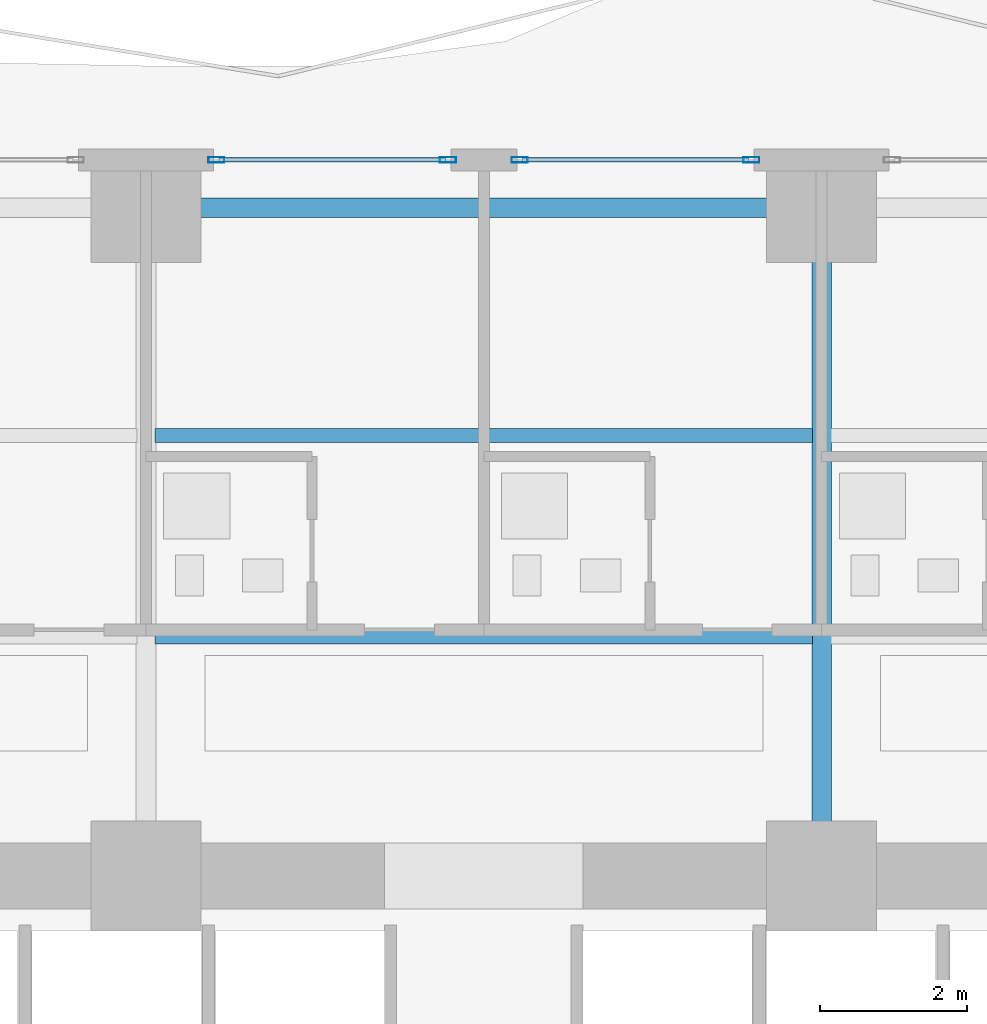
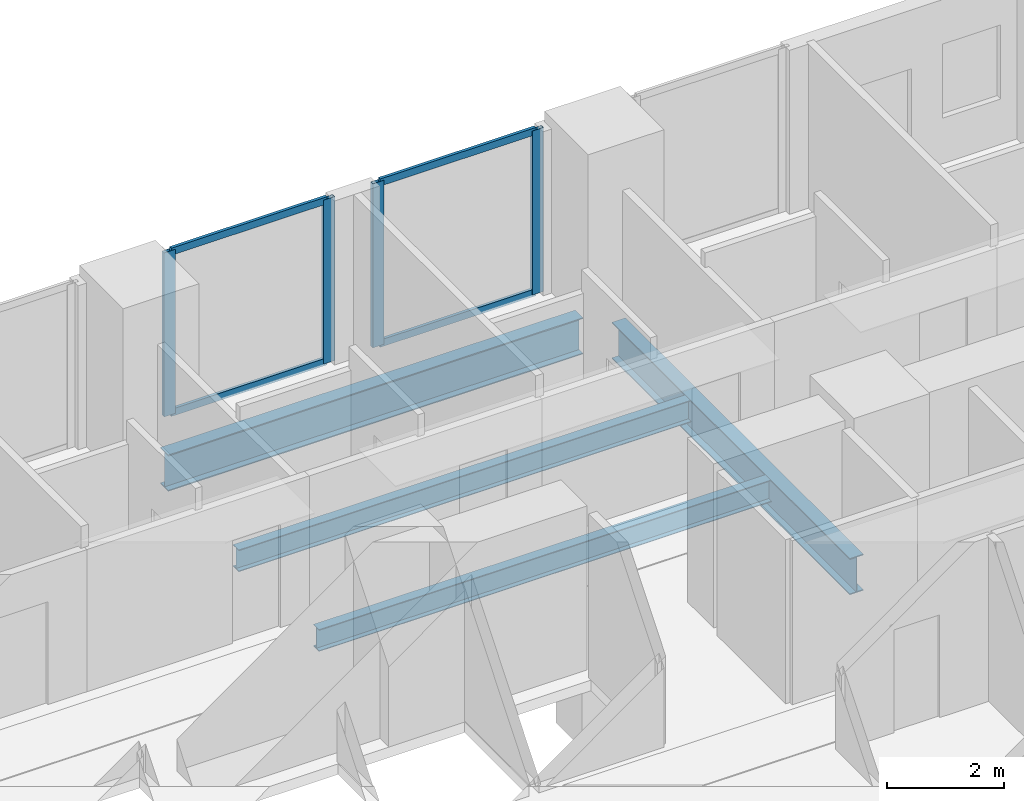
# One storey, part 15 of 29: 8 members, 4 beams, 2 elements without a shape of their own.
"""IFC4 building model written with IfcOpenShell, lengths in metres."""

from ifc_helpers import new_model, si_unit, direction, frame, origin, origin_2d, place, context, subcontext, project, spatial, hollow_rectangle, i_section, extrude, material, layer, layer_set, material_profile, profile_set, type_object, element, aggregate, save


model = new_model("IFC4")

# Units and contexts
model_context = context("Model", 3, precision=1e-05, world=origin(), true_north=direction((0.0, 1.0)))
body_context = subcontext(model_context, "Body", "Model", "MODEL_VIEW")
ifc_project = project(units=[si_unit("LENGTHUNIT", "METRE"), si_unit("AREAUNIT", "SQUARE_METRE"), si_unit("VOLUMEUNIT", "CUBIC_METRE"), si_unit("PLANEANGLEUNIT", "RADIAN"), si_unit("MASSUNIT", "GRAM", prefix="KILO")], contexts=[model_context])

# Site, building, storey
site_placement = place(None, origin())
site = spatial("IfcSite", under=ifc_project, at=site_placement, CompositionType="ELEMENT")
building_placement = place(site_placement, origin())
building = spatial("IfcBuilding", under=site, at=building_placement, Name="Zuhayl Quay Hotel", CompositionType="ELEMENT")
storey_placement = place(building_placement, frame((0.0, 0.0, 60.449951171875)))
storey = spatial("IfcBuildingStorey", under=building, at=storey_placement, Name="L14", CompositionType="ELEMENT", Elevation=60.449951171875)

# Beams
ifc_material_1 = material(Name="Steel ASTM A992 Grade 50", Category="steel")
ifc_material_profile_1 = material_profile(ifc_material_1, i_section(OverallWidth=0.26708984375, OverallDepth=0.761962890625, WebThickness=0.014404296875, FlangeThickness=0.021484375, at=origin_2d()), Name="W30X116")
ifc_profile_set_1 = profile_set([ifc_material_profile_1], Name="Steel ASTM A992 Grade 50")
beam_type_1 = type_object("IfcBeamType", Name="BM_B1_W30X116", PredefinedType="BEAM", material=ifc_profile_set_1)
beam_1_placement = place(storey_placement, frame((4.10009765625, 22.449951171875, -0.600830078125), z_axis=(-1.0, 0.0, 0.0), x_axis=(0.0, -1.0, 0.0)))
element("IfcBeam", 1, at=beam_1_placement, inside=storey, type_object=beam_type_1, Name="L14 Floor Beam RG_L14_08", PredefinedType="BEAM", context=body_context, shape_type="SweptSolid", body=[
    extrude(i_section(OverallWidth=0.26708984375, OverallDepth=0.761962890625, WebThickness=0.014404296875, FlangeThickness=0.021484375, at=origin_2d()), origin(), (0.0, 0.0, 1.0), 8.2001953125),
])
beam_2_placement = place(storey_placement, frame((4.60009765625, 13.800048828125, -0.600830078125), z_axis=(0.0, 1.0, 0.0), x_axis=(-1.0, 0.0, 0.0)))
element("IfcBeam", 2, at=beam_2_placement, inside=storey, type_object=beam_type_1, Name="L14 Floor Beam FG_N_L14_3", PredefinedType="BEAM", context=body_context, shape_type="SweptSolid", body=[
    extrude(i_section(OverallWidth=0.26708984375, OverallDepth=0.761962890625, WebThickness=0.014404296875, FlangeThickness=0.021484375, at=origin_2d()), origin(), (0.0, 0.0, 1.0), 8.14990234375),
])
ifc_material_profile_2 = material_profile(ifc_material_1, i_section(OverallWidth=0.18994140625, OverallDepth=0.45703125, WebThickness=0.009033203125, FlangeThickness=0.014404296875, at=origin_2d()), Name="W18X50")
ifc_profile_set_2 = profile_set([ifc_material_profile_2], Name="Steel ASTM A992 Grade 50")
beam_type_2 = type_object("IfcBeamType", Name="BM_J2_W18X50", PredefinedType="JOIST", material=ifc_profile_set_2)
for number, where, z_axis, x_axis, name in (
    (3, (-4.474609375, 16.60009765625, -0.448486328125), (1.0, 0.0, 0.0), (0.0, 1.0, 0.0), "L14 Floor Beam FJ_L14_1_2"),
    (4, (-4.474609375, 19.35009765625, -0.448486328125), (1.0, 0.0, 0.0), (0.0, 1.0, 0.0), "L14 Floor Beam FJ_L14_2_2"),
):
    element("IfcBeam", number, at=place(storey_placement, frame(where, z_axis=z_axis, x_axis=x_axis)), inside=storey, type_object=beam_type_2, Name=name, PredefinedType="JOIST", context=body_context, shape_type="SweptSolid", body=[
        extrude(i_section(OverallWidth=0.18994140625, OverallDepth=0.45703125, WebThickness=0.009033203125, FlangeThickness=0.014404296875, at=origin_2d()), origin(), (0.0, 0.0, 1.0), 8.94921875),
    ])

# Curtain wall, members
ifc_material_2 = material(Name="Anodised Aluminium 6063-T6", Category="aluminium")
ifc_layer = layer(ifc_material_2, 0.18994140625, Name="Anodised Aluminium 6063-T6", Category="aluminium")
ifc_layer_set = layer_set([ifc_layer], Name="Anodised Aluminium 6063-T6")
curtain_wall_type = type_object("IfcCurtainWallType", Name="CW_SYS_Z1", PredefinedType="USERDEFINED", material=ifc_layer_set)
curtain_wall_1_placement = place(storey_placement, origin())
curtain_wall_1 = element("IfcCurtainWall", 5, at=curtain_wall_1_placement, inside=storey, type_object=curtain_wall_type, Name="L14 Curtain Wall ENV_L14_N_CW3", ObjectType="UNITISED CURTAIN WALL", PredefinedType="USERDEFINED")
ifc_material_3 = material(Name="Black-anodised aluminium 6063-T6", Category="aluminium")
ifc_material_profile_3 = material_profile(ifc_material_3, hollow_rectangle(XDim=0.074951171875, YDim=0.219970703125, WallThickness=0.00390625, at=origin_2d()), Name="ALU220X75")
ifc_profile_set_3 = profile_set([ifc_material_profile_3], Name="Black-anodised aluminium 6063-T6")
member_type_1 = type_object("IfcMemberType", Name="MB_CW_MUL_220", PredefinedType="MULLION", material=ifc_profile_set_3)
member_1_placement = place(storey_placement, frame((-3.642578125, 23.10009765625, 0.0), z_axis=(0.0, 0.0, 1.0), x_axis=(0.0, 1.0, 0.0)))
member_1 = element("IfcMember", 6, at=member_1_placement, type_object=member_type_1, Name="CW-Z1 mullion 1", PredefinedType="MULLION", context=body_context, shape_type="SweptSolid", body=[
    extrude(hollow_rectangle(XDim=0.074951171875, YDim=0.219970703125, WallThickness=0.00390625, at=origin_2d()), origin(), (0.0, 0.0, 1.0), 3.429931640625),
])
member_2_placement = place(storey_placement, frame((-0.487548828125, 23.10009765625, 0.0), z_axis=(0.0, 0.0, 1.0), x_axis=(0.0, 1.0, 0.0)))
member_2 = element("IfcMember", 7, at=member_2_placement, type_object=member_type_1, Name="CW-Z1 mullion 2", PredefinedType="MULLION", context=body_context, shape_type="SweptSolid", body=[
    extrude(hollow_rectangle(XDim=0.074951171875, YDim=0.219970703125, WallThickness=0.00390625, at=origin_2d()), origin(), (0.0, 0.0, 1.0), 3.429931640625),
])

curtain_wall_2_placement = place(storey_placement, origin())
curtain_wall_2 = element("IfcCurtainWall", 8, at=curtain_wall_2_placement, inside=storey, type_object=curtain_wall_type, Name="L14 Curtain Wall ENV_L14_N_CW4", ObjectType="UNITISED CURTAIN WALL", PredefinedType="USERDEFINED")
member_3_placement = place(storey_placement, frame((0.487548828125, 23.10009765625, 0.0), z_axis=(0.0, 0.0, 1.0), x_axis=(0.0, 1.0, 0.0)))
member_3 = element("IfcMember", 9, at=member_3_placement, type_object=member_type_1, Name="CW-Z1 mullion 1", PredefinedType="MULLION", context=body_context, shape_type="SweptSolid", body=[
    extrude(hollow_rectangle(XDim=0.074951171875, YDim=0.219970703125, WallThickness=0.00390625, at=origin_2d()), origin(), (0.0, 0.0, 1.0), 3.429931640625),
])
member_4_placement = place(storey_placement, frame((3.642578125, 23.10009765625, 0.0), z_axis=(0.0, 0.0, 1.0), x_axis=(0.0, 1.0, 0.0)))
member_4 = element("IfcMember", 10, at=member_4_placement, type_object=member_type_1, Name="CW-Z1 mullion 2", PredefinedType="MULLION", context=body_context, shape_type="SweptSolid", body=[
    extrude(hollow_rectangle(XDim=0.074951171875, YDim=0.219970703125, WallThickness=0.00390625, at=origin_2d()), origin(), (0.0, 0.0, 1.0), 3.429931640625),
])

# Member
ifc_material_profile_4 = material_profile(ifc_material_3, hollow_rectangle(XDim=0.06005859375, YDim=0.14990234375, WallThickness=0.00341796875, at=origin_2d()), Name="ALU150X60")
ifc_profile_set_4 = profile_set([ifc_material_profile_4], Name="Black-anodised aluminium 6063-T6")
member_type_2 = type_object("IfcMemberType", Name="MB_CW_TRN_150", PredefinedType="USERDEFINED", material=ifc_profile_set_4)
member_5_placement = place(storey_placement, frame((-3.60498046875, 23.10009765625, 0.030029296875), z_axis=(1.0, 0.0, 0.0), x_axis=(0.0, 1.0, 0.0)))
member_5 = element("IfcMember", 11, at=member_5_placement, type_object=member_type_2, Name="CW-Z1 transom 1.1", ObjectType="TRANSOM", PredefinedType="USERDEFINED", context=body_context, shape_type="SweptSolid", body=[
    extrude(hollow_rectangle(XDim=0.06005859375, YDim=0.14990234375, WallThickness=0.00341796875, at=origin_2d()), origin(), (0.0, 0.0, 1.0), 3.080078125),
])

member_6_placement = place(storey_placement, frame((-3.60498046875, 23.10009765625, 3.400146484375), z_axis=(1.0, 0.0, 0.0), x_axis=(0.0, 1.0, 0.0)))
member_6 = element("IfcMember", 12, at=member_6_placement, type_object=member_type_2, Name="CW-Z1 transom 1.2", ObjectType="TRANSOM", PredefinedType="USERDEFINED", context=body_context, shape_type="SweptSolid", body=[
    extrude(hollow_rectangle(XDim=0.06005859375, YDim=0.14990234375, WallThickness=0.00341796875, at=origin_2d()), origin(), (0.0, 0.0, 1.0), 3.080078125),
])

aggregate(curtain_wall_1, [member_1, member_2, member_5, member_6])

member_7_placement = place(storey_placement, frame((0.52490234375, 23.10009765625, 0.030029296875), z_axis=(1.0, 0.0, 0.0), x_axis=(0.0, 1.0, 0.0)))
member_7 = element("IfcMember", 13, at=member_7_placement, type_object=member_type_2, Name="CW-Z1 transom 1.1", ObjectType="TRANSOM", PredefinedType="USERDEFINED", context=body_context, shape_type="SweptSolid", body=[
    extrude(hollow_rectangle(XDim=0.06005859375, YDim=0.14990234375, WallThickness=0.00341796875, at=origin_2d()), origin(), (0.0, 0.0, 1.0), 3.080078125),
])

member_8_placement = place(storey_placement, frame((0.52490234375, 23.10009765625, 3.400146484375), z_axis=(1.0, 0.0, 0.0), x_axis=(0.0, 1.0, 0.0)))
member_8 = element("IfcMember", 14, at=member_8_placement, type_object=member_type_2, Name="CW-Z1 transom 1.2", ObjectType="TRANSOM", PredefinedType="USERDEFINED", context=body_context, shape_type="SweptSolid", body=[
    extrude(hollow_rectangle(XDim=0.06005859375, YDim=0.14990234375, WallThickness=0.00341796875, at=origin_2d()), origin(), (0.0, 0.0, 1.0), 3.080078125),
])

aggregate(curtain_wall_2, [member_3, member_4, member_7, member_8])

save(model, "model.ifc")
